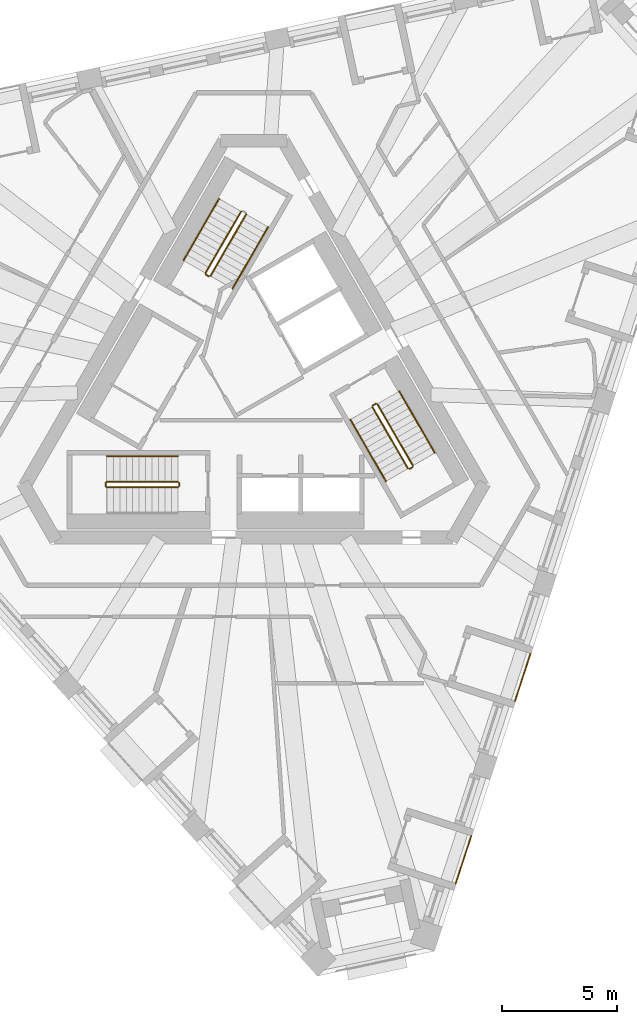
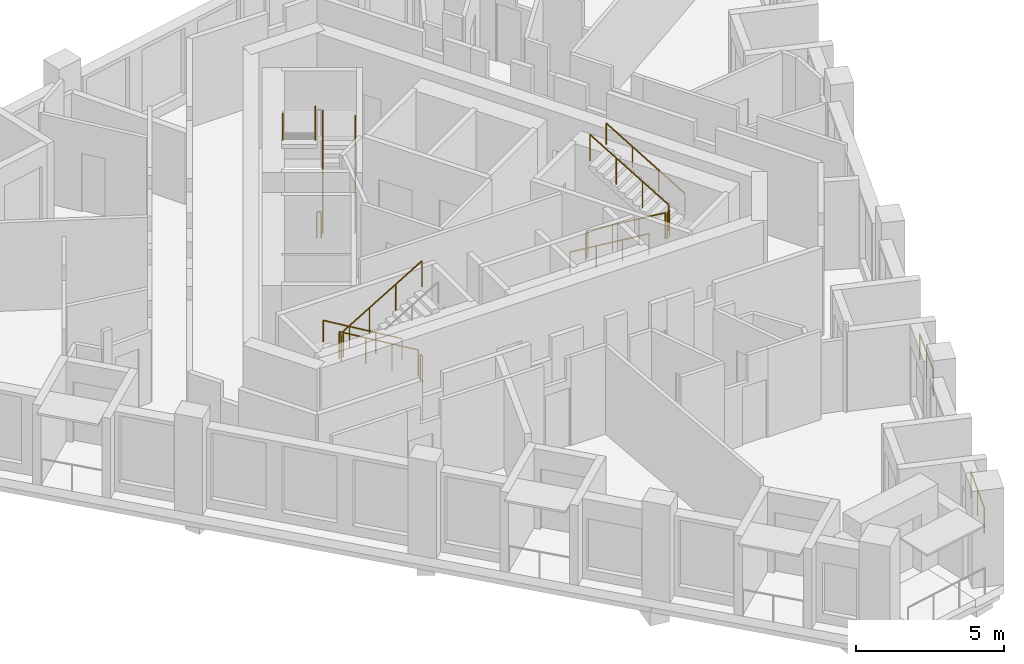
# One storey, part 10 of 12: 18 railings.
"""IFC4 building model written with IfcOpenShell, lengths in metres."""

from ifc_helpers import new_model, si_unit, direction, frame, origin, origin_2d, place, context, subcontext, project, spatial, circle, extrude, material, type_object, element, save


model = new_model("IFC4")

# Units and contexts
model_context = context("Model", 3, precision=1e-05, world=origin(), true_north=direction((0.0, 1.0)))
body_context = subcontext(model_context, "Body", "Model", "MODEL_VIEW")
ifc_project = project(units=[si_unit("LENGTHUNIT", "METRE"), si_unit("AREAUNIT", "SQUARE_METRE"), si_unit("VOLUMEUNIT", "CUBIC_METRE"), si_unit("PLANEANGLEUNIT", "RADIAN"), si_unit("MASSUNIT", "GRAM", prefix="KILO")], contexts=[model_context])

# Site, building, storey
site_placement = place(None, origin())
site = spatial("IfcSite", under=ifc_project, at=site_placement, CompositionType="ELEMENT")
building_placement = place(site_placement, origin())
building = spatial("IfcBuilding", under=site, at=building_placement, Name="Tramontana Tower", CompositionType="ELEMENT")
storey_placement = place(building_placement, frame((0.0, 0.0, 336.39990234375)))
storey = spatial("IfcBuildingStorey", under=building, at=storey_placement, Name="L77", CompositionType="ELEMENT", Elevation=336.39990234375)

# Railings
ifc_material_1 = material(Name="Laminated glass balustrade", Category="glass")
railing_type_1 = type_object("IfcRailingType", Name="GD1 Loggia glass balustrade 1100", PredefinedType="BALUSTRADE", material=ifc_material_1)
for number, where, name in (
    (1, (8.763671875, -21.472412109375, 0.0), "Loggia balustrade L77 G8S1.1"),
    (2, (11.332763671875, -13.5654296875, 0.0), "Loggia balustrade L77 G8S1.4"),
):
    element("IfcRailing", number, at=place(storey_placement, frame(where)), inside=storey, type_object=railing_type_1, Name=name, PredefinedType="BALUSTRADE", context=body_context, shape_type="SweptSolid", body=[
        extrude(circle(Radius=0.02392578125, at=origin_2d()), frame((0.0, 0.0, 1.076171875), z_axis=(0.308999623589, 0.95106216023, 0.0), x_axis=(-0.95106216023, 0.308999623589, 0.0)), (0.0, 0.0, 1.0), 2.171142578125),
        extrude(circle(Radius=0.02099609375, at=origin_2d()), origin(), (0.0, 0.0, 1.0), 1.052001953125),
        extrude(circle(Radius=0.02099609375, at=origin_2d()), frame((0.33544921875, 1.032470703125, 0.0)), (0.0, 0.0, 1.0), 1.052001953125),
        extrude(circle(Radius=0.02099609375, at=origin_2d()), frame((0.6708984375, 2.06494140625, 0.0)), (0.0, 0.0, 1.0), 1.052001953125),
    ])
ifc_material_2 = material(Name="Painted steel", Category="steel")
railing_type_2 = type_object("IfcRailingType", Name="STAIR GUARD 1100", PredefinedType="GUARDRAIL", material=ifc_material_2)
railing_1_placement = place(storey_placement, frame((-1.867431640625, 4.865478515625, 0.166748046875)))
element("IfcRailing", 3, at=railing_1_placement, inside=storey, type_object=railing_type_2, Name="L77 ST1 stair guard 1", PredefinedType="GUARDRAIL", context=body_context, shape_type="SweptSolid", body=[
    extrude(circle(Radius=0.02392578125, at=origin_2d()), frame((0.0, 0.0, 1.076171875), z_axis=(0.429649414936, 0.744189839504, 0.511451721109), x_axis=(-0.866029832698, 0.499992328818, 0.0)), (0.0, 0.0, 1.0), 3.58447265625),
    extrude(circle(Radius=0.02099609375, at=origin_2d()), origin(), (0.0, 0.0, 1.0), 1.052001953125),
    extrude(circle(Radius=0.02099609375, at=origin_2d()), frame((0.513427734375, 0.88916015625, 0.611083984375)), (0.0, 0.0, 1.0), 1.052001953125),
    extrude(circle(Radius=0.02099609375, at=origin_2d()), frame((1.026611328125, 1.7783203125, 1.22216796875)), (0.0, 0.0, 1.0), 1.052001953125),
    extrude(circle(Radius=0.02099609375, at=origin_2d()), frame((1.5400390625, 2.66748046875, 1.833251953125)), (0.0, 0.0, 1.0), 1.052001953125),
])
railing_2_placement = place(storey_placement, frame((-0.5439453125, 7.657958984375, 2.166748046875)))
element("IfcRailing", 4, at=railing_2_placement, inside=storey, type_object=railing_type_2, Name="L77 ST1 stair guard 2", PredefinedType="GUARDRAIL", context=body_context, shape_type="SweptSolid", body=[
    extrude(circle(Radius=0.02392578125, at=origin_2d()), frame((0.0, 0.0, 1.076171875), z_axis=(-0.429649414936, -0.744189839504, 0.511451721109), x_axis=(0.866029832698, -0.499992328818, 0.0)), (0.0, 0.0, 1.0), 3.58447265625),
    extrude(circle(Radius=0.02099609375, at=origin_2d()), origin(), (0.0, 0.0, 1.0), 1.052001953125),
    extrude(circle(Radius=0.02099609375, at=origin_2d()), frame((-0.513427734375, -0.88916015625, 0.611083984375)), (0.0, 0.0, 1.0), 1.052001953125),
    extrude(circle(Radius=0.02099609375, at=origin_2d()), frame((-1.026611328125, -1.7783203125, 1.22216796875)), (0.0, 0.0, 1.0), 1.052001953125),
    extrude(circle(Radius=0.02099609375, at=origin_2d()), frame((-1.5400390625, -2.66748046875, 1.833251953125)), (0.0, 0.0, 1.0), 1.052001953125),
])
railing_3_placement = place(storey_placement, frame((-1.935791015625, 4.84716796875, 0.0)))
element("IfcRailing", 5, at=railing_3_placement, inside=storey, type_object=railing_type_2, Name="L77 ST1 stair guard 4", PredefinedType="GUARDRAIL", context=body_context, shape_type="SweptSolid", body=[
    extrude(circle(Radius=0.02392578125, at=origin_2d()), frame((0.0, 0.0, 1.076171875), z_axis=(-0.865426285481, 0.501036270542, 0.0), x_axis=(-0.501036270542, -0.865426285481, 0.0)), (0.0, 0.0, 1.0), 0.150146484375),
    extrude(circle(Radius=0.02099609375, at=origin_2d()), origin(), (0.0, 0.0, 1.0), 1.052001953125),
    extrude(circle(Radius=0.02099609375, at=origin_2d()), frame((-0.1298828125, 0.0751953125, 0.0)), (0.0, 0.0, 1.0), 1.052001953125),
])
railing_4_placement = place(storey_placement, frame((-3.280029296875, -4.050048828125, 0.166748046875)))
element("IfcRailing", 6, at=railing_4_placement, inside=storey, type_object=railing_type_2, Name="L77 ST2 stair guard 1", PredefinedType="GUARDRAIL", context=body_context, shape_type="SweptSolid", body=[
    extrude(circle(Radius=0.02392578125, at=origin_2d()), frame((0.0, 0.0, 1.076171875), z_axis=(-0.859308565015, 0.0, 0.511457515432), x_axis=(0.0, -1.0, 0.0)), (0.0, 0.0, 1.0), 3.58447265625),
    extrude(circle(Radius=0.02099609375, at=origin_2d()), origin(), (0.0, 0.0, 1.0), 1.052001953125),
    extrude(circle(Radius=0.02099609375, at=origin_2d()), frame((-1.026611328125, 0.0, 0.611083984375)), (0.0, 0.0, 1.0), 1.052001953125),
    extrude(circle(Radius=0.02099609375, at=origin_2d()), frame((-2.053466796875, 0.0, 1.22216796875)), (0.0, 0.0, 1.0), 1.052001953125),
    extrude(circle(Radius=0.02099609375, at=origin_2d()), frame((-3.080078125, 0.0, 1.833251953125)), (0.0, 0.0, 1.0), 1.052001953125),
])
railing_5_placement = place(storey_placement, frame((-6.360107421875, -4.300048828125, 2.166748046875)))
element("IfcRailing", 7, at=railing_5_placement, inside=storey, type_object=railing_type_2, Name="L77 ST2 stair guard 2", PredefinedType="GUARDRAIL", context=body_context, shape_type="SweptSolid", body=[
    extrude(circle(Radius=0.02392578125, at=origin_2d()), frame((0.0, 0.0, 1.076171875), z_axis=(0.859308565015, 0.0, 0.511457515432), x_axis=(0.0, 1.0, 0.0)), (0.0, 0.0, 1.0), 3.58447265625),
    extrude(circle(Radius=0.02099609375, at=origin_2d()), origin(), (0.0, 0.0, 1.0), 1.052001953125),
    extrude(circle(Radius=0.02099609375, at=origin_2d()), frame((1.026611328125, 0.0, 0.611083984375)), (0.0, 0.0, 1.0), 1.052001953125),
    extrude(circle(Radius=0.02099609375, at=origin_2d()), frame((2.053466796875, 0.0, 1.22216796875)), (0.0, 0.0, 1.0), 1.052001953125),
    extrude(circle(Radius=0.02099609375, at=origin_2d()), frame((3.080078125, 0.0, 1.833251953125)), (0.0, 0.0, 1.0), 1.052001953125),
])
for number, where, name in (
    (8, (-6.409912109375, -4.10009765625, 2.0), "L77 ST2 stair guard 3"),
    (9, (-3.22998046875, -4.10009765625, 0.0), "L77 ST2 stair guard 4"),
):
    element("IfcRailing", number, at=place(storey_placement, frame(where)), inside=storey, type_object=railing_type_2, Name=name, PredefinedType="GUARDRAIL", context=body_context, shape_type="SweptSolid", body=[
        extrude(circle(Radius=0.02392578125, at=origin_2d()), frame((0.0, 0.0, 1.076171875), z_axis=(0.0, -1.0, 0.0), x_axis=(1.0, 0.0, 0.0)), (0.0, 0.0, 1.0), 0.14990234375),
        extrude(circle(Radius=0.02099609375, at=origin_2d()), origin(), (0.0, 0.0, 1.0), 1.052001953125),
        extrude(circle(Radius=0.02099609375, at=origin_2d()), frame((0.0, -0.14990234375, 0.0)), (0.0, 0.0, 1.0), 1.052001953125),
    ])
railing_6_placement = place(storey_placement, frame((5.1474609375, -0.815673828125, 0.166748046875)))
element("IfcRailing", 10, at=railing_6_placement, inside=storey, type_object=railing_type_2, Name="L77 ST3 stair guard 1", PredefinedType="GUARDRAIL", context=body_context, shape_type="SweptSolid", body=[
    extrude(circle(Radius=0.02392578125, at=origin_2d()), frame((0.0, 0.0, 1.076171875), z_axis=(0.429671193721, -0.744159446956, 0.511477646425), x_axis=(0.866010015463, 0.500026652407, 0.0)), (0.0, 0.0, 1.0), 3.584228515625),
    extrude(circle(Radius=0.02099609375, at=origin_2d()), origin(), (0.0, 0.0, 1.0), 1.052001953125),
    extrude(circle(Radius=0.02099609375, at=origin_2d()), frame((0.513427734375, -0.88916015625, 0.611083984375)), (0.0, 0.0, 1.0), 1.052001953125),
    extrude(circle(Radius=0.02099609375, at=origin_2d()), frame((1.026611328125, -1.778076171875, 1.22216796875)), (0.0, 0.0, 1.0), 1.052001953125),
    extrude(circle(Radius=0.02099609375, at=origin_2d()), frame((1.5400390625, -2.667236328125, 1.833251953125)), (0.0, 0.0, 1.0), 1.052001953125),
])
railing_7_placement = place(storey_placement, frame((6.90380859375, -3.35791015625, 2.166748046875)))
element("IfcRailing", 11, at=railing_7_placement, inside=storey, type_object=railing_type_2, Name="L77 ST3 stair guard 2", PredefinedType="GUARDRAIL", context=body_context, shape_type="SweptSolid", body=[
    extrude(circle(Radius=0.02392578125, at=origin_2d()), frame((0.0, 0.0, 1.076171875), z_axis=(-0.429615651263, 0.74418122563, 0.511492615401), x_axis=(-0.866044340336, -0.499967199496, 0.0)), (0.0, 0.0, 1.0), 3.584228515625),
    extrude(circle(Radius=0.02099609375, at=origin_2d()), origin(), (0.0, 0.0, 1.0), 1.052001953125),
    extrude(circle(Radius=0.02099609375, at=origin_2d()), frame((-0.51318359375, 0.88916015625, 0.611083984375)), (0.0, 0.0, 1.0), 1.052001953125),
    extrude(circle(Radius=0.02099609375, at=origin_2d()), frame((-1.026611328125, 1.778076171875, 1.22216796875)), (0.0, 0.0, 1.0), 1.052001953125),
    extrude(circle(Radius=0.02099609375, at=origin_2d()), frame((-1.539794921875, 2.667236328125, 1.833251953125)), (0.0, 0.0, 1.0), 1.052001953125),
])
for number, where, name in (
    (12, (6.755615234375, -3.501220703125, 2.0), "L77 ST3 stair guard 3"),
    (13, (5.165771484375, -0.747314453125, 0.0), "L77 ST3 stair guard 4"),
):
    element("IfcRailing", number, at=place(storey_placement, frame(where)), inside=storey, type_object=railing_type_2, Name=name, PredefinedType="GUARDRAIL", context=body_context, shape_type="SweptSolid", body=[
        extrude(circle(Radius=0.02392578125, at=origin_2d()), frame((0.0, 0.0, 1.076171875), z_axis=(0.866131372301, 0.499816412211, 0.0), x_axis=(-0.499816412211, 0.866131372301, 0.0)), (0.0, 0.0, 1.0), 0.14990234375),
        extrude(circle(Radius=0.02099609375, at=origin_2d()), origin(), (0.0, 0.0, 1.0), 1.052001953125),
        extrude(circle(Radius=0.02099609375, at=origin_2d()), frame((0.1298828125, 0.074951171875, 0.0)), (0.0, 0.0, 1.0), 1.052001953125),
    ])
ifc_material_3 = material(Name="Painted steel", Category="steel")
railing_type_3 = type_object("IfcRailingType", Name="STAIR HANDRAIL 900", PredefinedType="HANDRAIL", material=ifc_material_3)
railing_8_placement = place(storey_placement, frame((-0.914794921875, 4.315673828125, 0.166748046875)))
element("IfcRailing", 14, at=railing_8_placement, inside=storey, type_object=railing_type_3, Name="L77 ST1 stair handrail 1", PredefinedType="HANDRAIL", context=body_context, shape_type="SweptSolid", body=[
    extrude(circle(Radius=0.02392578125, at=origin_2d()), frame((0.0, 0.0, 0.8759765625), z_axis=(0.429671193721, 0.744159446956, 0.511477646425), x_axis=(-0.866010015463, 0.500026652407, 0.0)), (0.0, 0.0, 1.0), 3.584228515625),
    extrude(circle(Radius=0.02099609375, at=origin_2d()), origin(), (0.0, 0.0, 1.0), 0.851806640625),
    extrude(circle(Radius=0.02099609375, at=origin_2d()), frame((0.513427734375, 0.88916015625, 0.611083984375)), (0.0, 0.0, 1.0), 0.851806640625),
    extrude(circle(Radius=0.02099609375, at=origin_2d()), frame((1.026611328125, 1.778076171875, 1.22216796875)), (0.0, 0.0, 1.0), 0.851806640625),
    extrude(circle(Radius=0.02099609375, at=origin_2d()), frame((1.5400390625, 2.667236328125, 1.833251953125)), (0.0, 0.0, 1.0), 0.851806640625),
])
railing_9_placement = place(storey_placement, frame((-1.49658203125, 8.2080078125, 2.166748046875)))
element("IfcRailing", 15, at=railing_9_placement, inside=storey, type_object=railing_type_3, Name="L77 ST1 stair handrail 2", PredefinedType="HANDRAIL", context=body_context, shape_type="SweptSolid", body=[
    extrude(circle(Radius=0.02392578125, at=origin_2d()), frame((0.0, 0.0, 0.8759765625), z_axis=(-0.429649414936, -0.744189839504, 0.511451721109), x_axis=(0.866029832698, -0.499992328818, 0.0)), (0.0, 0.0, 1.0), 3.58447265625),
    extrude(circle(Radius=0.02099609375, at=origin_2d()), origin(), (0.0, 0.0, 1.0), 0.851806640625),
    extrude(circle(Radius=0.02099609375, at=origin_2d()), frame((-0.513427734375, -0.88916015625, 0.611083984375)), (0.0, 0.0, 1.0), 0.851806640625),
    extrude(circle(Radius=0.02099609375, at=origin_2d()), frame((-1.026611328125, -1.7783203125, 1.22216796875)), (0.0, 0.0, 1.0), 0.851806640625),
    extrude(circle(Radius=0.02099609375, at=origin_2d()), frame((-1.5400390625, -2.66748046875, 1.833251953125)), (0.0, 0.0, 1.0), 0.851806640625),
])
railing_10_placement = place(storey_placement, frame((-3.280029296875, -2.949951171875, 0.166748046875)))
element("IfcRailing", 16, at=railing_10_placement, inside=storey, type_object=railing_type_3, Name="L77 ST2 stair handrail 1", PredefinedType="HANDRAIL", context=body_context, shape_type="SweptSolid", body=[
    extrude(circle(Radius=0.02392578125, at=origin_2d()), frame((0.0, 0.0, 0.8759765625), z_axis=(-0.859308565015, 0.0, 0.511457515432), x_axis=(0.0, -1.0, 0.0)), (0.0, 0.0, 1.0), 3.58447265625),
    extrude(circle(Radius=0.02099609375, at=origin_2d()), origin(), (0.0, 0.0, 1.0), 0.851806640625),
    extrude(circle(Radius=0.02099609375, at=origin_2d()), frame((-1.026611328125, 0.0, 0.611083984375)), (0.0, 0.0, 1.0), 0.851806640625),
    extrude(circle(Radius=0.02099609375, at=origin_2d()), frame((-2.053466796875, 0.0, 1.22216796875)), (0.0, 0.0, 1.0), 0.851806640625),
    extrude(circle(Radius=0.02099609375, at=origin_2d()), frame((-3.080078125, 0.0, 1.833251953125)), (0.0, 0.0, 1.0), 0.851806640625),
])
railing_11_placement = place(storey_placement, frame((4.19482421875, -1.365478515625, 0.166748046875)))
element("IfcRailing", 17, at=railing_11_placement, inside=storey, type_object=railing_type_3, Name="L77 ST3 stair handrail 1", PredefinedType="HANDRAIL", context=body_context, shape_type="SweptSolid", body=[
    extrude(circle(Radius=0.02392578125, at=origin_2d()), frame((0.0, 0.0, 0.8759765625), z_axis=(0.429649414936, -0.744189839504, 0.511451721109), x_axis=(0.866029832698, 0.499992328818, 0.0)), (0.0, 0.0, 1.0), 3.58447265625),
    extrude(circle(Radius=0.02099609375, at=origin_2d()), origin(), (0.0, 0.0, 1.0), 0.851806640625),
    extrude(circle(Radius=0.02099609375, at=origin_2d()), frame((0.513427734375, -0.88916015625, 0.611083984375)), (0.0, 0.0, 1.0), 0.851806640625),
    extrude(circle(Radius=0.02099609375, at=origin_2d()), frame((1.026611328125, -1.7783203125, 1.22216796875)), (0.0, 0.0, 1.0), 0.851806640625),
    extrude(circle(Radius=0.02099609375, at=origin_2d()), frame((1.5400390625, -2.66748046875, 1.833251953125)), (0.0, 0.0, 1.0), 0.851806640625),
])
railing_12_placement = place(storey_placement, frame((7.8564453125, -2.807861328125, 2.166748046875)))
element("IfcRailing", 18, at=railing_12_placement, inside=storey, type_object=railing_type_3, Name="L77 ST3 stair handrail 2", PredefinedType="HANDRAIL", context=body_context, shape_type="SweptSolid", body=[
    extrude(circle(Radius=0.02392578125, at=origin_2d()), frame((0.0, 0.0, 0.8759765625), z_axis=(-0.429615651263, 0.74418122563, 0.511492615401), x_axis=(-0.866044340336, -0.499967199496, 0.0)), (0.0, 0.0, 1.0), 3.584228515625),
    extrude(circle(Radius=0.02099609375, at=origin_2d()), origin(), (0.0, 0.0, 1.0), 0.851806640625),
    extrude(circle(Radius=0.02099609375, at=origin_2d()), frame((-0.51318359375, 0.88916015625, 0.611083984375)), (0.0, 0.0, 1.0), 0.851806640625),
    extrude(circle(Radius=0.02099609375, at=origin_2d()), frame((-1.026611328125, 1.778076171875, 1.22216796875)), (0.0, 0.0, 1.0), 0.851806640625),
    extrude(circle(Radius=0.02099609375, at=origin_2d()), frame((-1.539794921875, 2.667236328125, 1.833251953125)), (0.0, 0.0, 1.0), 0.851806640625),
])

save(model, "model.ifc")
